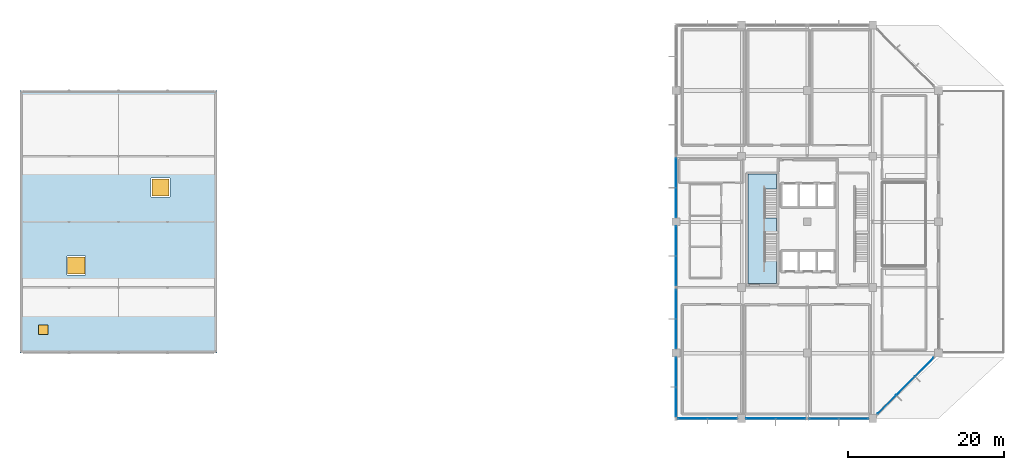
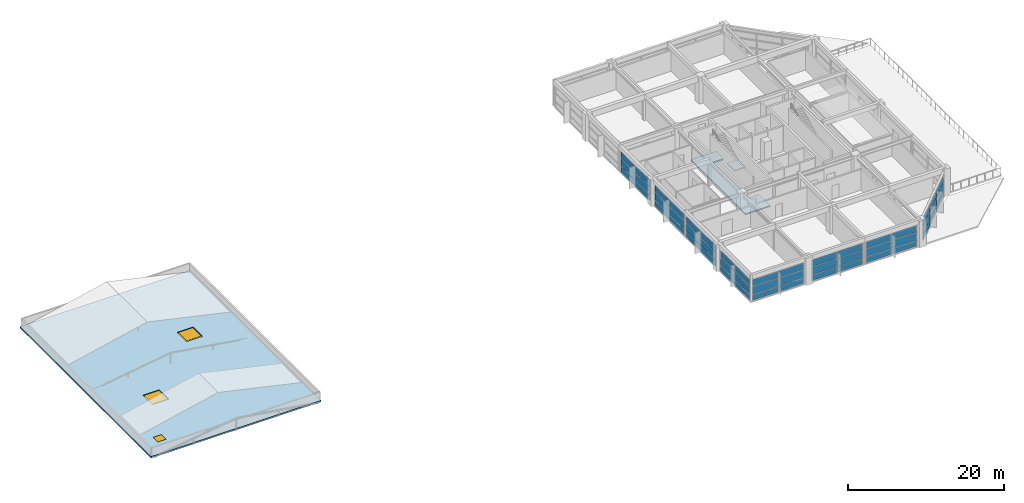
# One storey, part 14 of 21: 51 plates, 3 slabs, 2 windows, 1 door, 3 openings, 9 elements without a shape of their own.
"""IFC4 building model written with IfcOpenShell, lengths in metres."""

import ifcopenshell
import ifcopenshell.guid

model = None  # the IFC model being written
_history = None  # IfcOwnerHistory: only IFC2X3 demands one
_inside = {}  # id of a spatial element -> (the spatial element, [elements in it])
_under = {}  # id of a project, library or spatial element -> (it, [spatial elements below it])
_declared = {}  # id of a project -> (the project, [libraries it declares])
_typed = {}  # id of a type object -> (the type object, [elements of that type])
_made_of = {}  # id of a material, layer set ... -> (it, [elements and type objects made of it])


def new_model(schema):
    """Start an empty IFC model of exactly this schema.

    Asked for "IFC4X3", IfcOpenShell would pick the latest addendum, in which some entities
    have other attributes; the version numbers below select the first issue.
    IFC2X3 requires an IfcOwnerHistory on every rooted entity: one is made here for all.
    """
    global model, _history
    if schema == "IFC4X3":
        model = ifcopenshell.file(schema_version=(4, 3, 0, 0))
    else:
        model = ifcopenshell.file(schema=schema)
    _inside.clear()
    _under.clear()
    _declared.clear()
    _typed.clear()
    _made_of.clear()
    _history = None
    if model.schema == "IFC2X3":
        org = make("IfcOrganization", Name="unknown")
        user = make(
            "IfcPersonAndOrganization",
            ThePerson=make("IfcPerson", FamilyName="unknown"),
            TheOrganization=org,
        )
        app = make(
            "IfcApplication",
            ApplicationDeveloper=org,
            Version="unknown",
            ApplicationFullName="unknown",
            ApplicationIdentifier="unknown",
        )
        _history = make(
            "IfcOwnerHistory",
            OwningUser=user,
            OwningApplication=app,
            ChangeAction="ADDED",
            CreationDate=0,
        )
    return model


def make(cls, **values):
    """One entity of the class cls with the attributes given. An attribute that is None is left unset."""
    return model.create_entity(
        cls, **{name: value for name, value in values.items() if value is not None}
    )


def rooted(cls, **values):
    """An entity with a GlobalId (a new one), such as an element, a storey or a relation."""
    return make(cls, GlobalId=ifcopenshell.guid.new(), OwnerHistory=_history, **values)


def si_unit(unit_type, name, prefix=None):
    """IfcSIUnit, for example si_unit("LENGTHUNIT", "METRE", prefix="MILLI")."""
    return make("IfcSIUnit", UnitType=unit_type, Prefix=prefix, Name=name)


def assignment(units):
    """IfcUnitAssignment: the units of a project."""
    return None if units is None else make("IfcUnitAssignment", Units=units)


def point(xyz):
    """IfcCartesianPoint."""
    return None if xyz is None else make("IfcCartesianPoint", Coordinates=xyz)


def direction(xyz):
    """IfcDirection."""
    return None if xyz is None else make("IfcDirection", DirectionRatios=xyz)


def frame(location, z_axis=None, x_axis=None):
    """IfcAxis2Placement3D, a coordinate frame: its origin and axes. An axis left out is left unset."""
    return make(
        "IfcAxis2Placement3D",
        Location=point(location),
        Axis=direction(z_axis),
        RefDirection=direction(x_axis),
    )


def frame_2d(location, x_axis=None):
    """IfcAxis2Placement2D, a coordinate frame in the plane: its origin and x axis."""
    return make(
        "IfcAxis2Placement2D", Location=point(location), RefDirection=direction(x_axis)
    )


def origin():
    """The frame at (0, 0, 0) with its axes left unset."""
    return frame((0.0, 0.0, 0.0))


def origin_2d():
    """The frame at (0, 0) in the plane with its x axis left unset."""
    return frame_2d((0.0, 0.0))


def place(relative_to, where):
    """IfcLocalPlacement: puts the frame where relative to a parent placement (None: the world)."""
    return make(
        "IfcLocalPlacement", PlacementRelTo=relative_to, RelativePlacement=where
    )


def context(
    kind, dimensions, precision=None, world=None, true_north=None, identifier=None
):
    """IfcGeometricRepresentationContext, for example the 3D "Model" context."""
    return make(
        "IfcGeometricRepresentationContext",
        ContextIdentifier=identifier,
        ContextType=kind,
        CoordinateSpaceDimension=dimensions,
        Precision=precision,
        WorldCoordinateSystem=world,
        TrueNorth=true_north,
    )


def subcontext(parent, identifier, kind, view, scale=None):
    """IfcGeometricRepresentationSubContext, for example "Body" below "Model"."""
    return make(
        "IfcGeometricRepresentationSubContext",
        ContextIdentifier=identifier,
        ContextType=kind,
        ParentContext=parent,
        TargetScale=scale,
        TargetView=view,
    )


def project(units=None, contexts=None):
    """IfcProject with its units and contexts."""
    return rooted(
        "IfcProject",
        Name="project",
        RepresentationContexts=contexts,
        UnitsInContext=assignment(units),
    )


def spatial(cls, under=None, at=None, **own):
    """A site, building, storey or space (cls), placed at a placement, below another one or the project."""
    s = rooted(cls, ObjectPlacement=at, **own)
    if under is not None:
        _under.setdefault(under.id(), (under, []))[1].append(s)
    return s


def polyline(points):
    """IfcPolyline through the points."""
    return make("IfcPolyline", Points=[point(p) for p in points])


def profile(cls, at=None, kind="AREA", **sizes):
    """A parametric profile (cls). Its sizes go by their IFC names, for example OverallWidth=200.0."""
    return make(cls, ProfileType=kind, Position=at, **sizes)


def rectangle(**sizes):
    """IfcRectangleProfileDef."""
    return profile("IfcRectangleProfileDef", **sizes)


def outline(outer, holes=None, kind="AREA"):
    """IfcArbitraryClosedProfileDef: a profile drawn as a closed curve; with holes, ...WithVoids."""
    if holes is None:
        return make("IfcArbitraryClosedProfileDef", ProfileType=kind, OuterCurve=outer)
    return make(
        "IfcArbitraryProfileDefWithVoids",
        ProfileType=kind,
        OuterCurve=outer,
        InnerCurves=holes,
    )


def extrude(swept, where, along, depth):
    """IfcExtrudedAreaSolid: the profile swept, set in the frame where, extruded along a direction by depth."""
    return make(
        "IfcExtrudedAreaSolid",
        SweptArea=swept,
        Position=where,
        ExtrudedDirection=direction(along),
        Depth=depth,
    )


def shape(context_of_items, identifier, shape_type, items):
    """IfcShapeRepresentation: the items that make up one representation, for example the "Body"."""
    return make(
        "IfcShapeRepresentation",
        ContextOfItems=context_of_items,
        RepresentationIdentifier=identifier,
        RepresentationType=shape_type,
        Items=items,
    )


def material(Name=None, Category=None):
    """IfcMaterial."""
    return make("IfcMaterial", Name=Name, Category=Category)


def layer(
    of_material, thickness, ventilated=None, Name=None, Category=None, Priority=None
):
    """IfcMaterialLayer: one layer of a wall or slab, of a material (None: an air gap)."""
    return make(
        "IfcMaterialLayer",
        Material=of_material,
        LayerThickness=thickness,
        IsVentilated=ventilated,
        Name=Name,
        Category=Category,
        Priority=Priority,
    )


def layer_set(layers, Name=None):
    """IfcMaterialLayerSet."""
    return make("IfcMaterialLayerSet", MaterialLayers=layers, LayerSetName=Name)


def made_of(thing, what):
    """Note that an element or type object is made of a material, layer set ...; save() writes the relation."""
    if what is not None:
        _made_of.setdefault(what.id(), (what, []))[1].append(thing)
    return thing


def type_object(cls, material=None, **own):
    """A type object (cls), such as IfcWallType, which elements share."""
    return made_of(rooted(cls, **own), material)


def element(
    cls,
    number,
    at=None,
    inside=None,
    cuts=None,
    type_object=None,
    material=None,
    context=None,
    identifier="Body",
    shape_type=None,
    held_by="IfcProductDefinitionShape",
    body=None,
    shapes=None,
    **own,
):
    """One element of the class cls, such as IfcWall. Its Tag is "e" and its number.

    at: its placement. inside: the storey or other place that contains it. cuts: it is an
    opening in that element (IfcRelVoidsElement). A single representation is given by context,
    identifier, shape_type and body (its items); several are given by shapes. held_by: the class
    of the entity that holds the representations. save() writes the other relations.
    """
    e = rooted(cls, Tag="e%d" % number, ObjectPlacement=at, **own)
    if body is not None:
        shapes = [shape(context, identifier, shape_type, body)]
    if shapes is not None:
        e.Representation = make(held_by, Representations=shapes)
    if inside is not None:
        _inside.setdefault(inside.id(), (inside, []))[1].append(e)
    if cuts is not None:
        rooted(
            "IfcRelVoidsElement", RelatingBuildingElement=cuts, RelatedOpeningElement=e
        )
    if type_object is not None:
        _typed.setdefault(type_object.id(), (type_object, []))[1].append(e)
    return made_of(e, material)


def fill(opening, filler):
    """IfcRelFillsElement: the door or window that sits in an opening."""
    return rooted(
        "IfcRelFillsElement",
        RelatingOpeningElement=opening,
        RelatedBuildingElement=filler,
    )


def aggregate(whole, parts):
    """IfcRelAggregates: a whole, such as a stair, and the parts it consists of."""
    return rooted("IfcRelAggregates", RelatingObject=whole, RelatedObjects=parts)


def save(model, path):
    """Write the relations noted so far, then the file.

    IfcRelAggregates (storeys below a building ...), IfcRelContainedInSpatialStructure (elements
    in a storey), IfcRelDefinesByType, IfcRelAssociatesMaterial and IfcRelDeclares: one each for
    every whole, place, type object, material and project.
    """
    for whole, parts in _under.values():
        aggregate(whole, parts)
    for where, things in _inside.values():
        rooted(
            "IfcRelContainedInSpatialStructure",
            RelatedElements=things,
            RelatingStructure=where,
        )
    for kind, things in _typed.values():
        rooted("IfcRelDefinesByType", RelatedObjects=things, RelatingType=kind)
    for what, things in _made_of.values():
        rooted("IfcRelAssociatesMaterial", RelatedObjects=things, RelatingMaterial=what)
    for by, libraries in _declared.values():
        rooted("IfcRelDeclares", RelatingContext=by, RelatedDefinitions=libraries)
    model.write(path)


model = new_model("IFC4")

# Units and contexts
model_context = context("Model", 3, precision=1e-05, world=origin(), true_north=direction((0.0, 1.0)))
body_context = subcontext(model_context, "Body", "Model", "MODEL_VIEW")
ifc_project = project(units=[si_unit("LENGTHUNIT", "METRE"), si_unit("AREAUNIT", "SQUARE_METRE"), si_unit("VOLUMEUNIT", "CUBIC_METRE"), si_unit("PLANEANGLEUNIT", "RADIAN"), si_unit("MASSUNIT", "GRAM", prefix="KILO")], contexts=[model_context])

# Site, building, storey
site_placement = place(None, origin())
site = spatial("IfcSite", under=ifc_project, at=site_placement, CompositionType="ELEMENT")
building_placement = place(site_placement, origin())
building = spatial("IfcBuilding", under=site, at=building_placement, Name="Xuanlan Plaza Opera House", CompositionType="ELEMENT")
storey_placement = place(building_placement, frame((0.0, 0.0, 44.699951171875)))
storey = spatial("IfcBuildingStorey", under=building, at=storey_placement, Name="L10", CompositionType="ELEMENT", Elevation=44.699951171875)

# Curtain wall, plates
ifc_material_1 = material(Name="Anodised Aluminium 6063-T6 and Low-E Glass", Category="aluminium")
curtain_wall_type_1 = type_object("IfcCurtainWallType", Name="ENV-CW-CW-03", PredefinedType="USERDEFINED", material=ifc_material_1)
curtain_wall_1_placement = place(storey_placement, origin())
curtain_wall_1 = element("IfcCurtainWall", 1, at=curtain_wall_1_placement, inside=storey, type_object=curtain_wall_type_1, Name="Unitised Curtain Wall L10-003", ObjectType="UNITISED CURTAIN WALL", PredefinedType="USERDEFINED")
ifc_material_2 = material(Name="Laminated Acoustic Double Glazing", Category="glass")
ifc_layer_1 = layer(ifc_material_2, 0.028076171875)
ifc_layer_set_1 = layer_set([ifc_layer_1], Name="Laminated Acoustic Double Glazing")
plate_type_1 = type_object("IfcPlateType", Name="ENV-CWP-01", PredefinedType="CURTAIN_PANEL", material=ifc_layer_set_1)
plate_1_placement = place(storey_placement, frame((144.938720703125, 33.60009765625, 0.0751953125), z_axis=(0.0, 0.0, 1.0), x_axis=(1.0, 0.0, 0.0)))
plate_1 = element("IfcPlate", 2, at=plate_1_placement, type_object=plate_type_1, Name="CW-03 panel 1.1", PredefinedType="CURTAIN_PANEL", context=body_context, shape_type="SweptSolid", body=[
    extrude(rectangle(XDim=3.70751953125, YDim=0.028076171875, at=origin_2d()), origin(), (0.0, 0.0, 1.0), 0.83740234375),
])
plate_2_placement = place(storey_placement, frame((144.938720703125, 33.60009765625, 0.987548828125), z_axis=(0.0, 0.0, 1.0), x_axis=(1.0, 0.0, 0.0)))
plate_2 = element("IfcPlate", 3, at=plate_2_placement, type_object=plate_type_1, Name="CW-03 panel 1.2", PredefinedType="CURTAIN_PANEL", context=body_context, shape_type="SweptSolid", body=[
    extrude(rectangle(XDim=3.70751953125, YDim=0.028076171875, at=origin_2d()), origin(), (0.0, 0.0, 1.0), 1.22509765625),
])
plate_3_placement = place(storey_placement, frame((144.938720703125, 33.60009765625, 2.28759765625), z_axis=(0.0, 0.0, 1.0), x_axis=(1.0, 0.0, 0.0)))
plate_3 = element("IfcPlate", 4, at=plate_3_placement, type_object=plate_type_1, Name="CW-03 panel 1.3", PredefinedType="CURTAIN_PANEL", context=body_context, shape_type="SweptSolid", body=[
    extrude(rectangle(XDim=3.70751953125, YDim=0.028076171875, at=origin_2d()), origin(), (0.0, 0.0, 1.0), 1.017578125),
])
plate_4_placement = place(storey_placement, frame((148.736328125, 33.60009765625, 0.0751953125), z_axis=(0.0, 0.0, 1.0), x_axis=(1.0, 0.0, 0.0)))
plate_4 = element("IfcPlate", 5, at=plate_4_placement, type_object=plate_type_1, Name="CW-03 panel 2.1", PredefinedType="CURTAIN_PANEL", context=body_context, shape_type="SweptSolid", body=[
    extrude(rectangle(XDim=3.70751953125, YDim=0.028076171875, at=origin_2d()), origin(), (0.0, 0.0, 1.0), 0.83740234375),
])
plate_5_placement = place(storey_placement, frame((148.736328125, 33.60009765625, 0.987548828125), z_axis=(0.0, 0.0, 1.0), x_axis=(1.0, 0.0, 0.0)))
plate_5 = element("IfcPlate", 6, at=plate_5_placement, type_object=plate_type_1, Name="CW-03 panel 2.2", PredefinedType="CURTAIN_PANEL", context=body_context, shape_type="SweptSolid", body=[
    extrude(rectangle(XDim=3.70751953125, YDim=0.028076171875, at=origin_2d()), origin(), (0.0, 0.0, 1.0), 1.22509765625),
])
plate_6_placement = place(storey_placement, frame((148.736328125, 33.60009765625, 2.28759765625), z_axis=(0.0, 0.0, 1.0), x_axis=(1.0, 0.0, 0.0)))
plate_6 = element("IfcPlate", 7, at=plate_6_placement, type_object=plate_type_1, Name="CW-03 panel 2.3", PredefinedType="CURTAIN_PANEL", context=body_context, shape_type="SweptSolid", body=[
    extrude(rectangle(XDim=3.70751953125, YDim=0.028076171875, at=origin_2d()), origin(), (0.0, 0.0, 1.0), 1.017578125),
])
aggregate(curtain_wall_1, [plate_1, plate_2, plate_3, plate_4, plate_5, plate_6])

curtain_wall_type_2 = type_object("IfcCurtainWallType", Name="ENV-CW-CW-02", PredefinedType="USERDEFINED", material=ifc_material_1)
curtain_wall_2_placement = place(storey_placement, origin())
curtain_wall_2 = element("IfcCurtainWall", 8, at=curtain_wall_2_placement, inside=storey, type_object=curtain_wall_type_2, Name="Unitised Curtain Wall L10-018", ObjectType="UNITISED CURTAIN WALL", PredefinedType="USERDEFINED")
plate_7_placement = place(storey_placement, frame((126.0, 39.5361328125, 0.0751953125), z_axis=(0.0, 0.0, 1.0), x_axis=(0.0, -1.0, 0.0)))
plate_7 = element("IfcPlate", 9, at=plate_7_placement, type_object=plate_type_1, Name="CW-02 panel 1.1", PredefinedType="CURTAIN_PANEL", context=body_context, shape_type="SweptSolid", body=[
    extrude(rectangle(XDim=3.70751953125, YDim=0.028076171875, at=origin_2d()), origin(), (0.0, 0.0, 1.0), 0.83740234375),
])
plate_8_placement = place(storey_placement, frame((126.0, 39.5361328125, 0.987548828125), z_axis=(0.0, 0.0, 1.0), x_axis=(0.0, -1.0, 0.0)))
plate_8 = element("IfcPlate", 10, at=plate_8_placement, type_object=plate_type_1, Name="CW-02 panel 1.2", PredefinedType="CURTAIN_PANEL", context=body_context, shape_type="SweptSolid", body=[
    extrude(rectangle(XDim=3.70751953125, YDim=0.028076171875, at=origin_2d()), origin(), (0.0, 0.0, 1.0), 1.22509765625),
])
plate_9_placement = place(storey_placement, frame((126.0, 39.5361328125, 2.28759765625), z_axis=(0.0, 0.0, 1.0), x_axis=(0.0, -1.0, 0.0)))
plate_9 = element("IfcPlate", 11, at=plate_9_placement, type_object=plate_type_1, Name="CW-02 panel 1.3", PredefinedType="CURTAIN_PANEL", context=body_context, shape_type="SweptSolid", body=[
    extrude(rectangle(XDim=3.70751953125, YDim=0.028076171875, at=origin_2d()), origin(), (0.0, 0.0, 1.0), 1.017578125),
])
plate_10_placement = place(storey_placement, frame((126.0, 35.73876953125, 0.0751953125), z_axis=(0.0, 0.0, 1.0), x_axis=(0.0, -1.0, 0.0)))
plate_10 = element("IfcPlate", 12, at=plate_10_placement, type_object=plate_type_1, Name="CW-02 panel 2.1", PredefinedType="CURTAIN_PANEL", context=body_context, shape_type="SweptSolid", body=[
    extrude(rectangle(XDim=3.70751953125, YDim=0.028076171875, at=origin_2d()), origin(), (0.0, 0.0, 1.0), 0.83740234375),
])
plate_11_placement = place(storey_placement, frame((126.0, 35.73876953125, 0.987548828125), z_axis=(0.0, 0.0, 1.0), x_axis=(0.0, -1.0, 0.0)))
plate_11 = element("IfcPlate", 13, at=plate_11_placement, type_object=plate_type_1, Name="CW-02 panel 2.2", PredefinedType="CURTAIN_PANEL", context=body_context, shape_type="SweptSolid", body=[
    extrude(rectangle(XDim=3.70751953125, YDim=0.028076171875, at=origin_2d()), origin(), (0.0, 0.0, 1.0), 1.22509765625),
])
plate_12_placement = place(storey_placement, frame((126.0, 35.73876953125, 2.28759765625), z_axis=(0.0, 0.0, 1.0), x_axis=(0.0, -1.0, 0.0)))
plate_12 = element("IfcPlate", 14, at=plate_12_placement, type_object=plate_type_1, Name="CW-02 panel 2.3", PredefinedType="CURTAIN_PANEL", context=body_context, shape_type="SweptSolid", body=[
    extrude(rectangle(XDim=3.70751953125, YDim=0.028076171875, at=origin_2d()), origin(), (0.0, 0.0, 1.0), 1.017578125),
])
aggregate(curtain_wall_2, [plate_7, plate_8, plate_9, plate_10, plate_11, plate_12])

curtain_wall_3_placement = place(storey_placement, origin())
curtain_wall_3 = element("IfcCurtainWall", 15, at=curtain_wall_3_placement, inside=storey, type_object=curtain_wall_type_1, Name="Unitised Curtain Wall L10-015", ObjectType="UNITISED CURTAIN WALL", PredefinedType="USERDEFINED")
ifc_layer_2 = layer(ifc_material_2, 0.031982421875)
ifc_layer_set_2 = layer_set([ifc_layer_2], Name="Laminated Acoustic Double Glazing")
plate_type_2 = type_object("IfcPlateType", Name="ENV-CWP-02", PredefinedType="CURTAIN_PANEL", material=ifc_layer_set_2)
plate_13_placement = place(storey_placement, frame((126.0, 65.066162109375, 0.06982421875), z_axis=(0.0, 0.0, 1.0), x_axis=(0.0, -1.0, 0.0)))
plate_13 = element("IfcPlate", 16, at=plate_13_placement, type_object=plate_type_2, Name="CW-03 panel 1.1", PredefinedType="CURTAIN_PANEL", context=body_context, shape_type="SweptSolid", body=[
    extrude(rectangle(XDim=3.737548828125, YDim=0.031982421875, at=origin_2d()), origin(), (0.0, 0.0, 1.0), 0.844970703125),
])
plate_14_placement = place(storey_placement, frame((126.0, 65.066162109375, 0.985107421875), z_axis=(0.0, 0.0, 1.0), x_axis=(0.0, -1.0, 0.0)))
plate_14 = element("IfcPlate", 17, at=plate_14_placement, type_object=plate_type_2, Name="CW-03 panel 1.2", PredefinedType="CURTAIN_PANEL", context=body_context, shape_type="SweptSolid", body=[
    extrude(rectangle(XDim=3.737548828125, YDim=0.031982421875, at=origin_2d()), origin(), (0.0, 0.0, 1.0), 1.22998046875),
])
plate_15_placement = place(storey_placement, frame((126.0, 65.066162109375, 2.28515625), z_axis=(0.0, 0.0, 1.0), x_axis=(0.0, -1.0, 0.0)))
plate_15 = element("IfcPlate", 18, at=plate_15_placement, type_object=plate_type_2, Name="CW-03 panel 1.3", PredefinedType="CURTAIN_PANEL", context=body_context, shape_type="SweptSolid", body=[
    extrude(rectangle(XDim=3.737548828125, YDim=0.031982421875, at=origin_2d()), origin(), (0.0, 0.0, 1.0), 1.02490234375),
])
plate_16_placement = place(storey_placement, frame((126.0, 61.2587890625, 0.06982421875), z_axis=(0.0, 0.0, 1.0), x_axis=(0.0, -1.0, 0.0)))
plate_16 = element("IfcPlate", 19, at=plate_16_placement, type_object=plate_type_2, Name="CW-03 panel 2.1", PredefinedType="CURTAIN_PANEL", context=body_context, shape_type="SweptSolid", body=[
    extrude(rectangle(XDim=3.737548828125, YDim=0.031982421875, at=origin_2d()), origin(), (0.0, 0.0, 1.0), 0.844970703125),
])
plate_17_placement = place(storey_placement, frame((126.0, 61.2587890625, 0.985107421875), z_axis=(0.0, 0.0, 1.0), x_axis=(0.0, -1.0, 0.0)))
plate_17 = element("IfcPlate", 20, at=plate_17_placement, type_object=plate_type_2, Name="CW-03 panel 2.2", PredefinedType="CURTAIN_PANEL", context=body_context, shape_type="SweptSolid", body=[
    extrude(rectangle(XDim=3.737548828125, YDim=0.031982421875, at=origin_2d()), origin(), (0.0, 0.0, 1.0), 1.22998046875),
])
plate_18_placement = place(storey_placement, frame((126.0, 61.2587890625, 2.28515625), z_axis=(0.0, 0.0, 1.0), x_axis=(0.0, -1.0, 0.0)))
plate_18 = element("IfcPlate", 21, at=plate_18_placement, type_object=plate_type_2, Name="CW-03 panel 2.3", PredefinedType="CURTAIN_PANEL", context=body_context, shape_type="SweptSolid", body=[
    extrude(rectangle(XDim=3.737548828125, YDim=0.031982421875, at=origin_2d()), origin(), (0.0, 0.0, 1.0), 1.02490234375),
])
aggregate(curtain_wall_3, [plate_13, plate_14, plate_15, plate_16, plate_17, plate_18])

curtain_wall_4_placement = place(storey_placement, origin())
curtain_wall_4 = element("IfcCurtainWall", 22, at=curtain_wall_4_placement, inside=storey, type_object=curtain_wall_type_2, Name="Unitised Curtain Wall L10-002", ObjectType="UNITISED CURTAIN WALL", PredefinedType="USERDEFINED")
ifc_layer_3 = layer(ifc_material_2, 0.035888671875)
ifc_layer_set_3 = layer_set([ifc_layer_3], Name="Laminated Acoustic Double Glazing")
plate_type_3 = type_object("IfcPlateType", Name="ENV-CWP-03", PredefinedType="CURTAIN_PANEL", material=ifc_layer_set_3)
plate_19_placement = place(storey_placement, frame((136.861328125, 33.60009765625, 0.06494140625), z_axis=(0.0, 0.0, 1.0), x_axis=(1.0, 0.0, 0.0)))
plate_19 = element("IfcPlate", 23, at=plate_19_placement, type_object=plate_type_3, Name="CW-02 panel 1.1", PredefinedType="CURTAIN_PANEL", context=body_context, shape_type="SweptSolid", body=[
    extrude(rectangle(XDim=3.722412109375, YDim=0.035888671875, at=origin_2d()), origin(), (0.0, 0.0, 1.0), 0.8525390625),
])
plate_20_placement = place(storey_placement, frame((136.861328125, 33.60009765625, 0.982421875), z_axis=(0.0, 0.0, 1.0), x_axis=(1.0, 0.0, 0.0)))
plate_20 = element("IfcPlate", 24, at=plate_20_placement, type_object=plate_type_3, Name="CW-02 panel 1.2", PredefinedType="CURTAIN_PANEL", context=body_context, shape_type="SweptSolid", body=[
    extrude(rectangle(XDim=3.722412109375, YDim=0.035888671875, at=origin_2d()), origin(), (0.0, 0.0, 1.0), 1.235107421875),
])
plate_21_placement = place(storey_placement, frame((136.861328125, 33.60009765625, 2.28271484375), z_axis=(0.0, 0.0, 1.0), x_axis=(1.0, 0.0, 0.0)))
plate_21 = element("IfcPlate", 25, at=plate_21_placement, type_object=plate_type_3, Name="CW-02 panel 1.3", PredefinedType="CURTAIN_PANEL", context=body_context, shape_type="SweptSolid", body=[
    extrude(rectangle(XDim=3.722412109375, YDim=0.035888671875, at=origin_2d()), origin(), (0.0, 0.0, 1.0), 1.032470703125),
])
plate_22_placement = place(storey_placement, frame((140.663818359375, 33.60009765625, 0.06494140625), z_axis=(0.0, 0.0, 1.0), x_axis=(1.0, 0.0, 0.0)))
plate_22 = element("IfcPlate", 26, at=plate_22_placement, type_object=plate_type_3, Name="CW-02 panel 2.1", PredefinedType="CURTAIN_PANEL", context=body_context, shape_type="SweptSolid", body=[
    extrude(rectangle(XDim=3.722412109375, YDim=0.035888671875, at=origin_2d()), origin(), (0.0, 0.0, 1.0), 0.8525390625),
])
plate_23_placement = place(storey_placement, frame((140.663818359375, 33.60009765625, 0.982421875), z_axis=(0.0, 0.0, 1.0), x_axis=(1.0, 0.0, 0.0)))
plate_23 = element("IfcPlate", 27, at=plate_23_placement, type_object=plate_type_3, Name="CW-02 panel 2.2", PredefinedType="CURTAIN_PANEL", context=body_context, shape_type="SweptSolid", body=[
    extrude(rectangle(XDim=3.722412109375, YDim=0.035888671875, at=origin_2d()), origin(), (0.0, 0.0, 1.0), 1.235107421875),
])
plate_24_placement = place(storey_placement, frame((140.663818359375, 33.60009765625, 2.28271484375), z_axis=(0.0, 0.0, 1.0), x_axis=(1.0, 0.0, 0.0)))
plate_24 = element("IfcPlate", 28, at=plate_24_placement, type_object=plate_type_3, Name="CW-02 panel 2.3", PredefinedType="CURTAIN_PANEL", context=body_context, shape_type="SweptSolid", body=[
    extrude(rectangle(XDim=3.722412109375, YDim=0.035888671875, at=origin_2d()), origin(), (0.0, 0.0, 1.0), 1.032470703125),
])
aggregate(curtain_wall_4, [plate_19, plate_20, plate_21, plate_22, plate_23, plate_24])

curtain_wall_type_3 = type_object("IfcCurtainWallType", Name="ENV-CW-CW-01", PredefinedType="USERDEFINED", material=ifc_material_1)
curtain_wall_5_placement = place(storey_placement, origin())
curtain_wall_5 = element("IfcCurtainWall", 29, at=curtain_wall_5_placement, inside=storey, type_object=curtain_wall_type_3, Name="Unitised Curtain Wall L10-017", ObjectType="UNITISED CURTAIN WALL", PredefinedType="USERDEFINED")
plate_25_placement = place(storey_placement, frame((126.0, 48.263671875, 0.06494140625), z_axis=(0.0, 0.0, 1.0), x_axis=(0.0, -1.0, 0.0)))
plate_25 = element("IfcPlate", 30, at=plate_25_placement, type_object=plate_type_3, Name="CW-01 panel 1.1", PredefinedType="CURTAIN_PANEL", context=body_context, shape_type="SweptSolid", body=[
    extrude(rectangle(XDim=3.722412109375, YDim=0.035888671875, at=origin_2d()), origin(), (0.0, 0.0, 1.0), 0.8525390625),
])
plate_26_placement = place(storey_placement, frame((126.0, 48.263671875, 0.982421875), z_axis=(0.0, 0.0, 1.0), x_axis=(0.0, -1.0, 0.0)))
plate_26 = element("IfcPlate", 31, at=plate_26_placement, type_object=plate_type_3, Name="CW-01 panel 1.2", PredefinedType="CURTAIN_PANEL", context=body_context, shape_type="SweptSolid", body=[
    extrude(rectangle(XDim=3.722412109375, YDim=0.035888671875, at=origin_2d()), origin(), (0.0, 0.0, 1.0), 1.235107421875),
])
plate_27_placement = place(storey_placement, frame((126.0, 48.263671875, 2.28271484375), z_axis=(0.0, 0.0, 1.0), x_axis=(0.0, -1.0, 0.0)))
plate_27 = element("IfcPlate", 32, at=plate_27_placement, type_object=plate_type_3, Name="CW-01 panel 1.3", PredefinedType="CURTAIN_PANEL", context=body_context, shape_type="SweptSolid", body=[
    extrude(rectangle(XDim=3.722412109375, YDim=0.035888671875, at=origin_2d()), origin(), (0.0, 0.0, 1.0), 1.032470703125),
])
plate_28_placement = place(storey_placement, frame((126.0, 44.461181640625, 0.06494140625), z_axis=(0.0, 0.0, 1.0), x_axis=(0.0, -1.0, 0.0)))
plate_28 = element("IfcPlate", 33, at=plate_28_placement, type_object=plate_type_3, Name="CW-01 panel 2.1", PredefinedType="CURTAIN_PANEL", context=body_context, shape_type="SweptSolid", body=[
    extrude(rectangle(XDim=3.722412109375, YDim=0.035888671875, at=origin_2d()), origin(), (0.0, 0.0, 1.0), 0.8525390625),
])
plate_29_placement = place(storey_placement, frame((126.0, 44.461181640625, 0.982421875), z_axis=(0.0, 0.0, 1.0), x_axis=(0.0, -1.0, 0.0)))
plate_29 = element("IfcPlate", 34, at=plate_29_placement, type_object=plate_type_3, Name="CW-01 panel 2.2", PredefinedType="CURTAIN_PANEL", context=body_context, shape_type="SweptSolid", body=[
    extrude(rectangle(XDim=3.722412109375, YDim=0.035888671875, at=origin_2d()), origin(), (0.0, 0.0, 1.0), 1.235107421875),
])
plate_30_placement = place(storey_placement, frame((126.0, 44.461181640625, 2.28271484375), z_axis=(0.0, 0.0, 1.0), x_axis=(0.0, -1.0, 0.0)))
plate_30 = element("IfcPlate", 35, at=plate_30_placement, type_object=plate_type_3, Name="CW-01 panel 2.3", PredefinedType="CURTAIN_PANEL", context=body_context, shape_type="SweptSolid", body=[
    extrude(rectangle(XDim=3.722412109375, YDim=0.035888671875, at=origin_2d()), origin(), (0.0, 0.0, 1.0), 1.032470703125),
])
aggregate(curtain_wall_5, [plate_25, plate_26, plate_27, plate_28, plate_29, plate_30])

curtain_wall_type_4 = type_object("IfcCurtainWallType", Name="ENV-CW-CW-04", PredefinedType="USERDEFINED", material=ifc_material_1)
curtain_wall_6_placement = place(storey_placement, origin())
curtain_wall_6 = element("IfcCurtainWall", 36, at=curtain_wall_6_placement, inside=storey, type_object=curtain_wall_type_4, Name="Unitised Curtain Wall L10-004", ObjectType="UNITISED CURTAIN WALL", PredefinedType="USERDEFINED")
ifc_layer_4 = layer(ifc_material_2, 0.0400390625)
ifc_layer_set_4 = layer_set([ifc_layer_4], Name="Laminated Acoustic Double Glazing")
plate_type_4 = type_object("IfcPlateType", Name="ENV-CWP-04", PredefinedType="CURTAIN_PANEL", material=ifc_layer_set_4)
plate_31_placement = place(storey_placement, frame((153.0107421875, 35.410888671875, 0.090087890625), z_axis=(0.0, 0.0, 1.0), x_axis=(0.707106781187, 0.707106781187, 0.0)))
plate_31 = element("IfcPlate", 37, at=plate_31_placement, type_object=plate_type_4, Name="CW-04 panel 1.1", PredefinedType="CURTAIN_PANEL", context=body_context, shape_type="SweptSolid", body=[
    extrude(rectangle(XDim=3.297607421875, YDim=0.0400390625, at=origin_2d()), origin(), (0.0, 0.0, 1.0), 0.81494140625),
])
plate_32_placement = place(storey_placement, frame((153.0107421875, 35.410888671875, 0.9951171875), z_axis=(0.0, 0.0, 1.0), x_axis=(0.707106781187, 0.707106781187, 0.0)))
plate_32 = element("IfcPlate", 38, at=plate_32_placement, type_object=plate_type_4, Name="CW-04 panel 1.2", PredefinedType="CURTAIN_PANEL", context=body_context, shape_type="SweptSolid", body=[
    extrude(rectangle(XDim=3.297607421875, YDim=0.0400390625, at=origin_2d()), origin(), (0.0, 0.0, 1.0), 1.2099609375),
])
plate_33_placement = place(storey_placement, frame((153.0107421875, 35.410888671875, 2.294921875), z_axis=(0.0, 0.0, 1.0), x_axis=(0.707106781187, 0.707106781187, 0.0)))
plate_33 = element("IfcPlate", 39, at=plate_33_placement, type_object=plate_type_4, Name="CW-04 panel 1.3", PredefinedType="CURTAIN_PANEL", context=body_context, shape_type="SweptSolid", body=[
    extrude(rectangle(XDim=3.297607421875, YDim=0.0400390625, at=origin_2d()), origin(), (0.0, 0.0, 1.0), 0.9951171875),
])
plate_34_placement = place(storey_placement, frame((155.39990234375, 37.800048828125, 0.090087890625), z_axis=(0.0, 0.0, 1.0), x_axis=(0.707106781187, 0.707106781187, 0.0)))
plate_34 = element("IfcPlate", 40, at=plate_34_placement, type_object=plate_type_4, Name="CW-04 panel 2.1", PredefinedType="CURTAIN_PANEL", context=body_context, shape_type="SweptSolid", body=[
    extrude(rectangle(XDim=3.330078125, YDim=0.0400390625, at=origin_2d()), origin(), (0.0, 0.0, 1.0), 0.81494140625),
])
plate_35_placement = place(storey_placement, frame((155.39990234375, 37.800048828125, 0.9951171875), z_axis=(0.0, 0.0, 1.0), x_axis=(0.707106781187, 0.707106781187, 0.0)))
plate_35 = element("IfcPlate", 41, at=plate_35_placement, type_object=plate_type_4, Name="CW-04 panel 2.2", PredefinedType="CURTAIN_PANEL", context=body_context, shape_type="SweptSolid", body=[
    extrude(rectangle(XDim=3.330078125, YDim=0.0400390625, at=origin_2d()), origin(), (0.0, 0.0, 1.0), 1.2099609375),
])
plate_36_placement = place(storey_placement, frame((155.39990234375, 37.800048828125, 2.294921875), z_axis=(0.0, 0.0, 1.0), x_axis=(0.707106781187, 0.707106781187, 0.0)))
plate_36 = element("IfcPlate", 42, at=plate_36_placement, type_object=plate_type_4, Name="CW-04 panel 2.3", PredefinedType="CURTAIN_PANEL", context=body_context, shape_type="SweptSolid", body=[
    extrude(rectangle(XDim=3.330078125, YDim=0.0400390625, at=origin_2d()), origin(), (0.0, 0.0, 1.0), 0.9951171875),
])
plate_37_placement = place(storey_placement, frame((157.7890625, 40.189208984375, 0.090087890625), z_axis=(0.0, 0.0, 1.0), x_axis=(0.707106781187, 0.707106781187, 0.0)))
plate_37 = element("IfcPlate", 43, at=plate_37_placement, type_object=plate_type_4, Name="CW-04 panel 3.1", PredefinedType="CURTAIN_PANEL", context=body_context, shape_type="SweptSolid", body=[
    extrude(rectangle(XDim=3.297607421875, YDim=0.0400390625, at=origin_2d()), origin(), (0.0, 0.0, 1.0), 0.81494140625),
])
plate_38_placement = place(storey_placement, frame((157.7890625, 40.189208984375, 0.9951171875), z_axis=(0.0, 0.0, 1.0), x_axis=(0.707106781187, 0.707106781187, 0.0)))
plate_38 = element("IfcPlate", 44, at=plate_38_placement, type_object=plate_type_4, Name="CW-04 panel 3.2", PredefinedType="CURTAIN_PANEL", context=body_context, shape_type="SweptSolid", body=[
    extrude(rectangle(XDim=3.297607421875, YDim=0.0400390625, at=origin_2d()), origin(), (0.0, 0.0, 1.0), 1.2099609375),
])
plate_39_placement = place(storey_placement, frame((157.7890625, 40.189208984375, 2.294921875), z_axis=(0.0, 0.0, 1.0), x_axis=(0.707106781187, 0.707106781187, 0.0)))
plate_39 = element("IfcPlate", 45, at=plate_39_placement, type_object=plate_type_4, Name="CW-04 panel 3.3", PredefinedType="CURTAIN_PANEL", context=body_context, shape_type="SweptSolid", body=[
    extrude(rectangle(XDim=3.297607421875, YDim=0.0400390625, at=origin_2d()), origin(), (0.0, 0.0, 1.0), 0.9951171875),
])
aggregate(curtain_wall_6, [plate_31, plate_32, plate_33, plate_34, plate_35, plate_36, plate_37, plate_38, plate_39])

curtain_wall_7_placement = place(storey_placement, origin())
curtain_wall_7 = element("IfcCurtainWall", 46, at=curtain_wall_7_placement, inside=storey, type_object=curtain_wall_type_3, Name="Unitised Curtain Wall L10-001", ObjectType="UNITISED CURTAIN WALL", PredefinedType="USERDEFINED")
ifc_layer_5 = layer(ifc_material_2, 0.0439453125)
ifc_layer_set_5 = layer_set([ifc_layer_5], Name="Laminated Acoustic Double Glazing")
plate_type_5 = type_object("IfcPlateType", Name="ENV-CWP-05", PredefinedType="CURTAIN_PANEL", material=ifc_layer_set_5)
plate_40_placement = place(storey_placement, frame((128.135009765625, 33.60009765625, 0.080078125), z_axis=(0.0, 0.0, 1.0), x_axis=(1.0, 0.0, 0.0)))
plate_40 = element("IfcPlate", 47, at=plate_40_placement, type_object=plate_type_5, Name="CW-01 panel 1.1", PredefinedType="CURTAIN_PANEL", context=body_context, shape_type="SweptSolid", body=[
    extrude(rectangle(XDim=3.72998046875, YDim=0.0439453125, at=origin_2d()), origin(), (0.0, 0.0, 1.0), 0.830078125),
])
plate_41_placement = place(storey_placement, frame((128.135009765625, 33.60009765625, 0.990234375), z_axis=(0.0, 0.0, 1.0), x_axis=(1.0, 0.0, 0.0)))
plate_41 = element("IfcPlate", 48, at=plate_41_placement, type_object=plate_type_5, Name="CW-01 panel 1.2", PredefinedType="CURTAIN_PANEL", context=body_context, shape_type="SweptSolid", body=[
    extrude(rectangle(XDim=3.72998046875, YDim=0.0439453125, at=origin_2d()), origin(), (0.0, 0.0, 1.0), 1.219970703125),
])
plate_42_placement = place(storey_placement, frame((128.135009765625, 33.60009765625, 2.2900390625), z_axis=(0.0, 0.0, 1.0), x_axis=(1.0, 0.0, 0.0)))
plate_42 = element("IfcPlate", 49, at=plate_42_placement, type_object=plate_type_5, Name="CW-01 panel 1.3", PredefinedType="CURTAIN_PANEL", context=body_context, shape_type="SweptSolid", body=[
    extrude(rectangle(XDim=3.72998046875, YDim=0.0439453125, at=origin_2d()), origin(), (0.0, 0.0, 1.0), 1.010009765625),
])
plate_43_placement = place(storey_placement, frame((131.93994140625, 33.60009765625, 0.080078125), z_axis=(0.0, 0.0, 1.0), x_axis=(1.0, 0.0, 0.0)))
plate_43 = element("IfcPlate", 50, at=plate_43_placement, type_object=plate_type_5, Name="CW-01 panel 2.1", PredefinedType="CURTAIN_PANEL", context=body_context, shape_type="SweptSolid", body=[
    extrude(rectangle(XDim=3.72998046875, YDim=0.0439453125, at=origin_2d()), origin(), (0.0, 0.0, 1.0), 0.830078125),
])
plate_44_placement = place(storey_placement, frame((131.93994140625, 33.60009765625, 0.990234375), z_axis=(0.0, 0.0, 1.0), x_axis=(1.0, 0.0, 0.0)))
plate_44 = element("IfcPlate", 51, at=plate_44_placement, type_object=plate_type_5, Name="CW-01 panel 2.2", PredefinedType="CURTAIN_PANEL", context=body_context, shape_type="SweptSolid", body=[
    extrude(rectangle(XDim=3.72998046875, YDim=0.0439453125, at=origin_2d()), origin(), (0.0, 0.0, 1.0), 1.219970703125),
])
plate_45_placement = place(storey_placement, frame((131.93994140625, 33.60009765625, 2.2900390625), z_axis=(0.0, 0.0, 1.0), x_axis=(1.0, 0.0, 0.0)))
plate_45 = element("IfcPlate", 52, at=plate_45_placement, type_object=plate_type_5, Name="CW-01 panel 2.3", PredefinedType="CURTAIN_PANEL", context=body_context, shape_type="SweptSolid", body=[
    extrude(rectangle(XDim=3.72998046875, YDim=0.0439453125, at=origin_2d()), origin(), (0.0, 0.0, 1.0), 1.010009765625),
])
aggregate(curtain_wall_7, [plate_40, plate_41, plate_42, plate_43, plate_44, plate_45])

curtain_wall_8_placement = place(storey_placement, origin())
curtain_wall_8 = element("IfcCurtainWall", 53, at=curtain_wall_8_placement, inside=storey, type_object=curtain_wall_type_4, Name="Unitised Curtain Wall L10-016", ObjectType="UNITISED CURTAIN WALL", PredefinedType="USERDEFINED")
plate_46_placement = place(storey_placement, frame((126.0, 56.340087890625, 0.080078125), z_axis=(0.0, 0.0, 1.0), x_axis=(0.0, -1.0, 0.0)))
plate_46 = element("IfcPlate", 54, at=plate_46_placement, type_object=plate_type_5, Name="CW-04 panel 1.1", PredefinedType="CURTAIN_PANEL", context=body_context, shape_type="SweptSolid", body=[
    extrude(rectangle(XDim=3.72998046875, YDim=0.0439453125, at=origin_2d()), origin(), (0.0, 0.0, 1.0), 0.830078125),
])
plate_47_placement = place(storey_placement, frame((126.0, 56.340087890625, 0.990234375), z_axis=(0.0, 0.0, 1.0), x_axis=(0.0, -1.0, 0.0)))
plate_47 = element("IfcPlate", 55, at=plate_47_placement, type_object=plate_type_5, Name="CW-04 panel 1.2", PredefinedType="CURTAIN_PANEL", context=body_context, shape_type="SweptSolid", body=[
    extrude(rectangle(XDim=3.72998046875, YDim=0.0439453125, at=origin_2d()), origin(), (0.0, 0.0, 1.0), 1.219970703125),
])
plate_48_placement = place(storey_placement, frame((126.0, 56.340087890625, 2.2900390625), z_axis=(0.0, 0.0, 1.0), x_axis=(0.0, -1.0, 0.0)))
plate_48 = element("IfcPlate", 56, at=plate_48_placement, type_object=plate_type_5, Name="CW-04 panel 1.3", PredefinedType="CURTAIN_PANEL", context=body_context, shape_type="SweptSolid", body=[
    extrude(rectangle(XDim=3.72998046875, YDim=0.0439453125, at=origin_2d()), origin(), (0.0, 0.0, 1.0), 1.010009765625),
])
plate_49_placement = place(storey_placement, frame((126.0, 52.534912109375, 0.080078125), z_axis=(0.0, 0.0, 1.0), x_axis=(0.0, -1.0, 0.0)))
plate_49 = element("IfcPlate", 57, at=plate_49_placement, type_object=plate_type_5, Name="CW-04 panel 2.1", PredefinedType="CURTAIN_PANEL", context=body_context, shape_type="SweptSolid", body=[
    extrude(rectangle(XDim=3.72998046875, YDim=0.0439453125, at=origin_2d()), origin(), (0.0, 0.0, 1.0), 0.830078125),
])
plate_50_placement = place(storey_placement, frame((126.0, 52.534912109375, 0.990234375), z_axis=(0.0, 0.0, 1.0), x_axis=(0.0, -1.0, 0.0)))
plate_50 = element("IfcPlate", 58, at=plate_50_placement, type_object=plate_type_5, Name="CW-04 panel 2.2", PredefinedType="CURTAIN_PANEL", context=body_context, shape_type="SweptSolid", body=[
    extrude(rectangle(XDim=3.72998046875, YDim=0.0439453125, at=origin_2d()), origin(), (0.0, 0.0, 1.0), 1.219970703125),
])
plate_51_placement = place(storey_placement, frame((126.0, 52.534912109375, 2.2900390625), z_axis=(0.0, 0.0, 1.0), x_axis=(0.0, -1.0, 0.0)))
plate_51 = element("IfcPlate", 59, at=plate_51_placement, type_object=plate_type_5, Name="CW-04 panel 2.3", PredefinedType="CURTAIN_PANEL", context=body_context, shape_type="SweptSolid", body=[
    extrude(rectangle(XDim=3.72998046875, YDim=0.0439453125, at=origin_2d()), origin(), (0.0, 0.0, 1.0), 1.010009765625),
])
aggregate(curtain_wall_8, [plate_46, plate_47, plate_48, plate_49, plate_50, plate_51])

# Stair, slabs
ifc_material_3 = material(Name="Concrete C40", Category="concrete")
stair_type = type_object("IfcStairType", Name="INT-ST-STR-T155", PredefinedType="STRAIGHT_RUN_STAIR", material=ifc_material_3)
stair_placement = place(storey_placement, origin())
stair = element("IfcStair", 60, at=stair_placement, inside=storey, type_object=stair_type, Name="Protected Exit Stair ST-T1 L10", PredefinedType="STRAIGHT_RUN_STAIR")
ifc_layer_6 = layer(ifc_material_3, 0.199951171875)
ifc_layer_set_6 = layer_set([ifc_layer_6], Name="Concrete C40")
slab_type_1 = type_object("IfcSlabType", Name="INT-SLB-LND-20", PredefinedType="LANDING", material=ifc_layer_set_6)
slab_1_placement = place(storey_placement, frame((0.0, 0.0, 1.900146484375)))
slab_1 = element("IfcSlab", 61, at=slab_1_placement, type_object=slab_type_1, Name="ST-T1-L10 landing 1", PredefinedType="LANDING", context=body_context, shape_type="SweptSolid", body=[
    extrude(outline(polyline([(137.35009765625, 57.419921875), (138.89990234375, 57.419921875), (138.89990234375, 59.320068359375), (137.35009765625, 59.320068359375), (137.35009765625, 57.419921875)])), origin(), (0.0, 0.0, 1.0), 0.199951171875),
])
slab_2_placement = place(storey_placement, frame((0.0, 0.0, -0.199951171875)))
slab_2 = element("IfcSlab", 62, at=slab_2_placement, type_object=slab_type_1, Name="ST-T1-L10 landing 2", PredefinedType="LANDING", context=body_context, shape_type="SweptSolid", body=[
    extrude(outline(polyline([(135.199951171875, 50.89990234375), (138.89990234375, 50.89990234375), (138.89990234375, 53.764892578125), (137.35009765625, 53.764892578125), (137.35009765625, 62.97509765625), (138.89990234375, 62.97509765625), (138.89990234375, 64.89990234375), (135.199951171875, 64.89990234375), (135.199951171875, 50.89990234375)])), origin(), (0.0, 0.0, 1.0), 0.199951171875),
])
aggregate(stair, [slab_1, slab_2])

# Slab, openings, door, windows
ifc_layer_7 = layer(ifc_material_3, 0.235107421875)
ifc_layer_set_7 = layer_set([ifc_layer_7], Name="Concrete C40")
slab_type_2 = type_object("IfcSlabType", Name="STR-SLB-RF-02", PredefinedType="ROOF", material=ifc_layer_set_7)
slab_3_placement = place(storey_placement, frame((0.0, 0.0, -0.23486328125)))
slab_3 = element("IfcSlab", 63, at=slab_3_placement, inside=storey, type_object=slab_type_2, Name="Fly Tower High Maintenance Roof Slab", PredefinedType="ROOF", context=body_context, shape_type="SweptSolid", body=[
    extrude(outline(polyline([(42.0, 42.0), (67.199951171875, 42.0), (67.199951171875, 75.60009765625), (42.0, 75.60009765625), (42.0, 42.0)]), holes=[polyline([(48.0, 52.0), (50.39990234375, 52.0), (50.39990234375, 54.39990234375), (48.0, 54.39990234375), (48.0, 52.0)]), polyline([(58.800048828125, 62.0), (61.199951171875, 62.0), (61.199951171875, 64.39990234375), (58.800048828125, 64.39990234375), (58.800048828125, 62.0)]), polyline([(44.39990234375, 44.39990234375), (45.60009765625, 44.39990234375), (45.60009765625, 45.60009765625), (44.39990234375, 45.60009765625), (44.39990234375, 44.39990234375)])]), origin(), (0.0, 0.0, 1.0), 0.23486328125),
])
opening_1_placement = place(slab_3_placement, frame((49.199951171875, 53.199951171875, 0.0)))
opening_1 = element("IfcOpeningElement", 64, at=opening_1_placement, cuts=slab_3, Name="Opening SK-02", PredefinedType="OPENING", context=body_context, shape_type="SweptSolid", body=[
    extrude(rectangle(XDim=2.199951171875, YDim=2.199951171875, at=origin_2d()), origin(), (0.0, 0.0, 1.0), 0.23486328125),
])
opening_2_placement = place(slab_3_placement, frame((60.0, 63.199951171875, 0.0)))
opening_2 = element("IfcOpeningElement", 65, at=opening_2_placement, cuts=slab_3, Name="Opening SK-02", PredefinedType="OPENING", context=body_context, shape_type="SweptSolid", body=[
    extrude(rectangle(XDim=2.199951171875, YDim=2.199951171875, at=origin_2d()), origin(), (0.0, 0.0, 1.0), 0.23486328125),
])
opening_3_placement = place(slab_3_placement, frame((45.0, 45.0, 0.0)))
opening_3 = element("IfcOpeningElement", 66, at=opening_3_placement, cuts=slab_3, Name="Opening HT-02", PredefinedType="OPENING", context=body_context, shape_type="SweptSolid", body=[
    extrude(rectangle(XDim=1.199951171875, YDim=1.199951171875, at=origin_2d()), origin(), (0.0, 0.0, 1.0), 0.23486328125),
])
ifc_material_4 = material(Name="Galvanised Steel Q235B", Category="steel")
door_type = type_object("IfcDoorType", Name="ENV-DR-HT-02", OperationType="NOTDEFINED", PredefinedType="TRAPDOOR", material=ifc_material_4)
door_placement = place(opening_3_placement, frame((0.0, 0.0, 0.184814453125)))
door = element("IfcDoor", 67, at=door_placement, inside=storey, type_object=door_type, Name="Roof Maintenance Access Hatch HT-FLY-01", OperationType="SINGLE_SWING_LEFT", OverallHeight=1.199951171875, OverallWidth=1.199951171875, PredefinedType="TRAPDOOR", context=body_context, shape_type="SweptSolid", body=[
    extrude(rectangle(XDim=1.199951171875, YDim=1.199951171875, at=origin_2d()), origin(), (0.0, 0.0, 1.0), 0.050048828125),
])
fill(opening_3, door)
window_type = type_object("IfcWindowType", Name="ENV-WN-SK-02", PartitioningType="SINGLE_PANEL", PredefinedType="SKYLIGHT", material=ifc_material_1)
window_1_placement = place(opening_1_placement, frame((0.0, 0.0, 0.184814453125)))
window_1 = element("IfcWindow", 68, at=window_1_placement, inside=storey, type_object=window_type, Name="Fly Tower Smoke Vent Skylight 01", OverallHeight=2.199951171875, OverallWidth=2.199951171875, PartitioningType="SINGLE_PANEL", PredefinedType="SKYLIGHT", context=body_context, shape_type="SweptSolid", body=[
    extrude(rectangle(XDim=2.199951171875, YDim=2.199951171875, at=origin_2d()), origin(), (0.0, 0.0, 1.0), 0.050048828125),
])
fill(opening_1, window_1)
window_2_placement = place(opening_2_placement, frame((0.0, 0.0, 0.184814453125)))
window_2 = element("IfcWindow", 69, at=window_2_placement, inside=storey, type_object=window_type, Name="Fly Tower Smoke Vent Skylight 02", OverallHeight=2.199951171875, OverallWidth=2.199951171875, PartitioningType="SINGLE_PANEL", PredefinedType="SKYLIGHT", context=body_context, shape_type="SweptSolid", body=[
    extrude(rectangle(XDim=2.199951171875, YDim=2.199951171875, at=origin_2d()), origin(), (0.0, 0.0, 1.0), 0.050048828125),
])
fill(opening_2, window_2)

save(model, "model.ifc")
